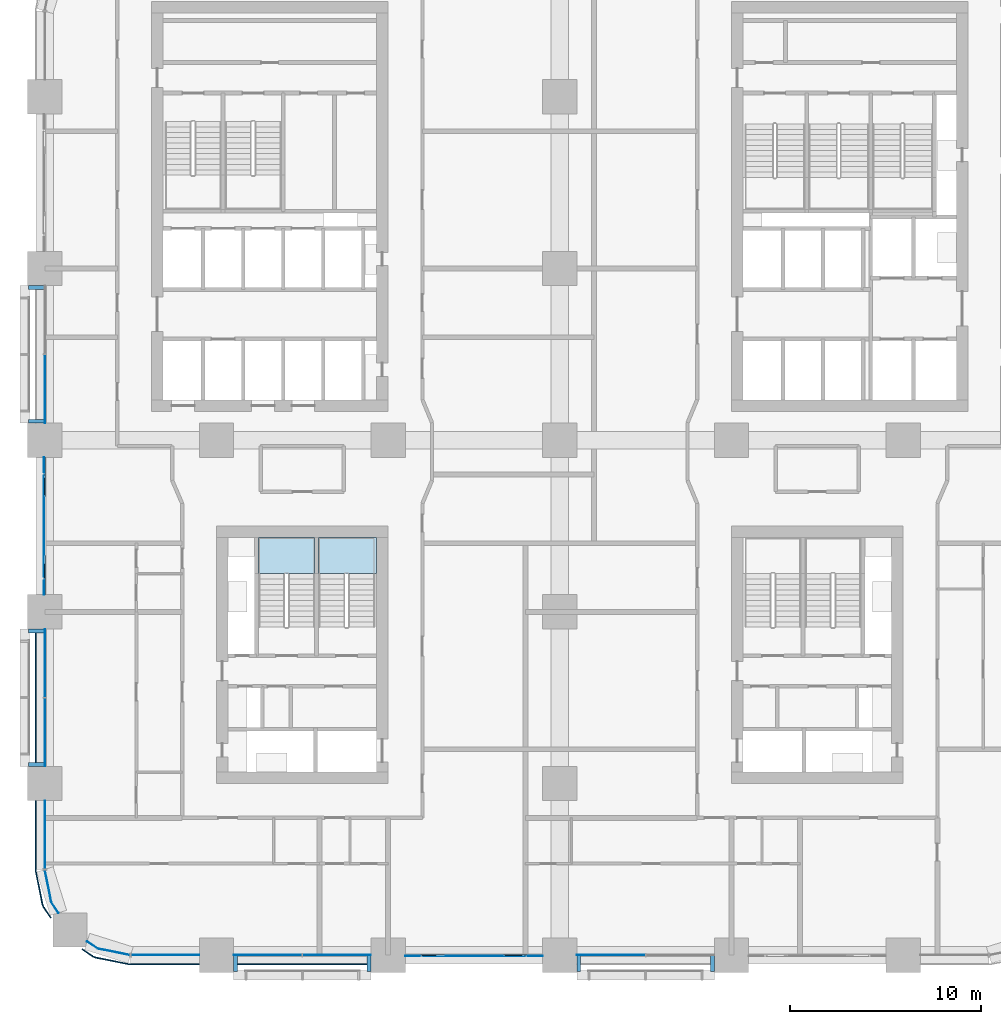
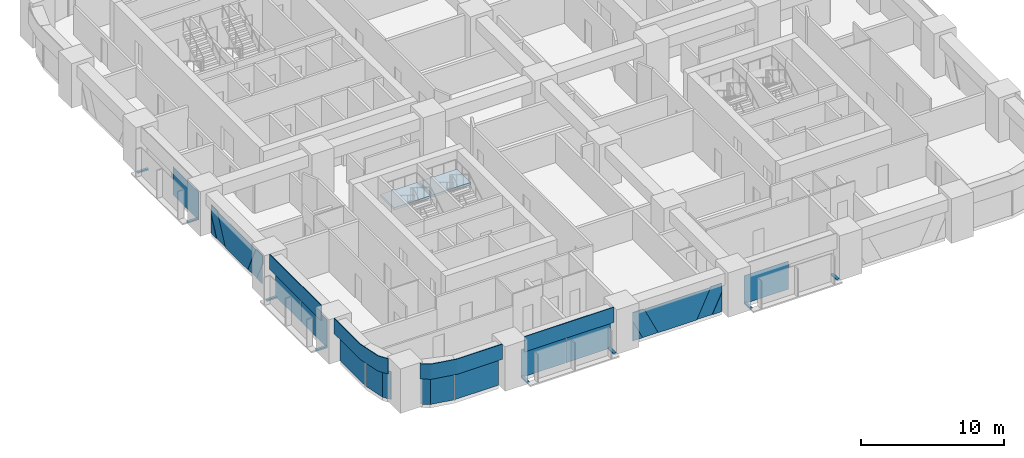
# One storey, part 10 of 23: 24 plates, 8 beams, 2 slabs, 10 elements without a shape of their own.
"""IFC4 building model written with IfcOpenShell, lengths in metres."""

from ifc_helpers import new_model, si_unit, direction, frame, origin, origin_2d, place, context, subcontext, project, spatial, polyline, rectangle, outline, extrude, material, layer, layer_set, material_profile, profile_set, type_object, element, aggregate, save


model = new_model("IFC4")

# Units and contexts
model_context = context("Model", 3, precision=1e-05, world=origin(), true_north=direction((0.0, 1.0)))
body_context = subcontext(model_context, "Body", "Model", "MODEL_VIEW")
ifc_project = project(units=[si_unit("LENGTHUNIT", "METRE"), si_unit("AREAUNIT", "SQUARE_METRE"), si_unit("VOLUMEUNIT", "CUBIC_METRE"), si_unit("PLANEANGLEUNIT", "RADIAN"), si_unit("MASSUNIT", "GRAM", prefix="KILO")], contexts=[model_context])

# Site, building, storey
site_placement = place(None, origin())
site = spatial("IfcSite", under=ifc_project, at=site_placement, CompositionType="ELEMENT")
building_placement = place(site_placement, origin())
building = spatial("IfcBuilding", under=site, at=building_placement, Name="Tessera Arch", CompositionType="ELEMENT")
storey_placement = place(building_placement, frame((0.0, 0.0, 57.60009765625)))
storey = spatial("IfcBuildingStorey", under=building, at=storey_placement, Name="L12", CompositionType="ELEMENT", Elevation=57.60009765625)

# Beams
ifc_material_1 = material(Name="Aluminium alloy 6063-T6", Category="aluminium")
ifc_material_profile = material_profile(ifc_material_1, rectangle(XDim=0.199951171875, YDim=0.1201171875, at=origin_2d()), Name="AL 200x120")
ifc_profile_set = profile_set([ifc_material_profile], Name="Aluminium alloy 6063-T6")
beam_type = type_object("IfcBeamType", Name="Screen seat beam", PredefinedType="BEAM", material=ifc_profile_set)
for number, where, z_axis, x_axis, name in (
    (1, (9.9990234375, 0.0, 0.059814453125), (0.0, -1.0, 0.0), (1.0, 0.0, 0.0), "Screen seat beam"),
    (2, (17.0009765625, 0.0, 0.059814453125), (0.0, -1.0, 0.0), (1.0, 0.0, 0.0), "Screen seat beam"),
    (3, (27.9990234375, 0.0, 0.059814453125), (0.0, -1.0, 0.0), (1.0, 0.0, 0.0), "Screen seat beam"),
    (4, (35.0009765625, 0.0, 0.059814453125), (0.0, -1.0, 0.0), (1.0, 0.0, 0.0), "Screen seat beam"),
    (5, (0.0, 35.0009765625, 0.059814453125), (-1.0, 0.0, 0.0), (0.0, -1.0, 0.0), "Screen seat beam"),
    (6, (0.0, 27.9990234375, 0.059814453125), (-1.0, 0.0, 0.0), (0.0, -1.0, 0.0), "Screen seat beam"),
    (7, (0.0, 17.0009765625, 0.059814453125), (-1.0, 0.0, 0.0), (0.0, -1.0, 0.0), "Screen seat beam"),
    (8, (0.0, 9.9990234375, 0.059814453125), (-1.0, 0.0, 0.0), (0.0, -1.0, 0.0), "Screen seat beam"),
):
    element("IfcBeam", number, at=place(storey_placement, frame(where, z_axis=z_axis, x_axis=x_axis)), inside=storey, type_object=beam_type, Name=name, PredefinedType="BEAM", context=body_context, shape_type="SweptSolid", body=[
        extrude(rectangle(XDim=0.199951171875, YDim=0.1201171875, at=origin_2d()), origin(), (0.0, 0.0, 1.0), 0.85009765625),
    ])

# Curtain wall, plates
ifc_material_2 = material(Name="CW1 curtain wall")
curtain_wall_type_1 = type_object("IfcCurtainWallType", Name="CW1 curtain wall", PredefinedType="NOTDEFINED", material=ifc_material_2)
curtain_wall_1_placement = place(storey_placement, origin())
curtain_wall_1 = element("IfcCurtainWall", 9, at=curtain_wall_1_placement, inside=storey, type_object=curtain_wall_type_1, Name="CW1 curtain wall S0.0/0 L12", PredefinedType="NOTDEFINED")
ifc_material_3 = material(Name="Clear low-e glass", Category="glass")
ifc_material_4 = material(Name="Clear low-e glass", Category="glass")
ifc_layer_1 = layer(ifc_material_4, 0.028076171875)
ifc_layer_set_1 = layer_set([ifc_layer_1], Name="CW1 glass panel")
plate_type_1 = type_object("IfcPlateType", Name="CW1 glass panel", PredefinedType="CURTAIN_PANEL", material=ifc_layer_set_1)
plate_1_placement = place(storey_placement, frame((11.68505859375, 0.0, 0.0), z_axis=(0.0, 0.0, 1.0), x_axis=(1.0, 0.0, 0.0)))
plate_1 = element("IfcPlate", 10, at=plate_1_placement, type_object=plate_type_1, material=ifc_material_3, Name="CW1 glass panel S0.0/0 1.1.1", PredefinedType="CURTAIN_PANEL", context=body_context, shape_type="SweptSolid", body=[
    extrude(rectangle(XDim=3.570068359375, YDim=0.028076171875, at=origin_2d()), origin(), (0.0, 0.0, 1.0), 2.39990234375),
])
plate_2_placement = place(storey_placement, frame((15.31494140625, 0.0, 0.0), z_axis=(0.0, 0.0, 1.0), x_axis=(1.0, 0.0, 0.0)))
plate_2 = element("IfcPlate", 11, at=plate_2_placement, type_object=plate_type_1, material=ifc_material_3, Name="CW1 glass panel S0.0/0 1.2.1", PredefinedType="CURTAIN_PANEL", context=body_context, shape_type="SweptSolid", body=[
    extrude(rectangle(XDim=3.570068359375, YDim=0.028076171875, at=origin_2d()), origin(), (0.0, 0.0, 1.0), 2.39990234375),
])

# Curtain wall, plate
curtain_wall_2_placement = place(storey_placement, origin())
curtain_wall_2 = element("IfcCurtainWall", 12, at=curtain_wall_2_placement, inside=storey, type_object=curtain_wall_type_1, Name="CW1 curtain wall S0.0/2 L12", PredefinedType="NOTDEFINED")
plate_3_placement = place(storey_placement, frame((29.68505859375, 0.0, 0.0), z_axis=(0.0, 0.0, 1.0), x_axis=(1.0, 0.0, 0.0)))
plate_3 = element("IfcPlate", 13, at=plate_3_placement, type_object=plate_type_1, material=ifc_material_3, Name="CW1 glass panel S0.0/2 1.1.1", PredefinedType="CURTAIN_PANEL", context=body_context, shape_type="SweptSolid", body=[
    extrude(rectangle(XDim=3.570068359375, YDim=0.028076171875, at=origin_2d()), origin(), (0.0, 0.0, 1.0), 2.39990234375),
])
aggregate(curtain_wall_2, [plate_3])

curtain_wall_3_placement = place(storey_placement, origin())
curtain_wall_3 = element("IfcCurtainWall", 14, at=curtain_wall_3_placement, inside=storey, type_object=curtain_wall_type_1, Name="CW1 curtain wall W0.0/2 L12", PredefinedType="NOTDEFINED")
plate_4_placement = place(storey_placement, frame((0.0, 29.68505859375, 0.0), z_axis=(0.0, 0.0, 1.0), x_axis=(0.0, -1.0, 0.0)))
plate_4 = element("IfcPlate", 15, at=plate_4_placement, type_object=plate_type_1, material=ifc_material_3, Name="CW1 glass panel W0.0/2 1.2.1", PredefinedType="CURTAIN_PANEL", context=body_context, shape_type="SweptSolid", body=[
    extrude(rectangle(XDim=3.570068359375, YDim=0.028076171875, at=origin_2d()), origin(), (0.0, 0.0, 1.0), 2.39990234375),
])
aggregate(curtain_wall_3, [plate_4])

# Curtain wall, plates
curtain_wall_4_placement = place(storey_placement, origin())
curtain_wall_4 = element("IfcCurtainWall", 16, at=curtain_wall_4_placement, inside=storey, type_object=curtain_wall_type_1, Name="CW1 curtain wall W0.0/4 L12", PredefinedType="NOTDEFINED")
plate_5_placement = place(storey_placement, frame((0.0, 15.31494140625, 0.0), z_axis=(0.0, 0.0, 1.0), x_axis=(0.0, -1.0, 0.0)))
plate_5 = element("IfcPlate", 17, at=plate_5_placement, type_object=plate_type_1, material=ifc_material_3, Name="CW1 glass panel W0.0/4 1.1.1", PredefinedType="CURTAIN_PANEL", context=body_context, shape_type="SweptSolid", body=[
    extrude(rectangle(XDim=3.570068359375, YDim=0.028076171875, at=origin_2d()), origin(), (0.0, 0.0, 1.0), 2.39990234375),
])
plate_6_placement = place(storey_placement, frame((0.0, 11.68505859375, 0.0), z_axis=(0.0, 0.0, 1.0), x_axis=(0.0, -1.0, 0.0)))
plate_6 = element("IfcPlate", 18, at=plate_6_placement, type_object=plate_type_1, material=ifc_material_3, Name="CW1 glass panel W0.0/4 1.2.1", PredefinedType="CURTAIN_PANEL", context=body_context, shape_type="SweptSolid", body=[
    extrude(rectangle(XDim=3.570068359375, YDim=0.028076171875, at=origin_2d()), origin(), (0.0, 0.0, 1.0), 2.39990234375),
])

# Plate
ifc_material_5 = material(Name="Pale anodised aluminium panel", Category="aluminium")
ifc_layer_2 = layer(ifc_material_5, 0.06005859375)
ifc_layer_set_2 = layer_set([ifc_layer_2], Name="CW1 spandrel panel")
plate_type_2 = type_object("IfcPlateType", Name="CW1 spandrel panel", PredefinedType="CURTAIN_PANEL", material=ifc_layer_set_2)
plate_7_placement = place(storey_placement, frame((13.5, -0.47998046875, 2.5), z_axis=(0.0, 0.0, 1.0), x_axis=(1.0, 0.0, 0.0)))
plate_7 = element("IfcPlate", 19, at=plate_7_placement, type_object=plate_type_2, Name="CW1 spandrel panel S0.0/0", PredefinedType="CURTAIN_PANEL", context=body_context, shape_type="SweptSolid", body=[
    extrude(rectangle(XDim=7.199951171875, YDim=0.06005859375, at=origin_2d()), origin(), (0.0, 0.0, 1.0), 1.300048828125),
])

aggregate(curtain_wall_1, [plate_1, plate_2, plate_7])

plate_8_placement = place(storey_placement, frame((-0.47998046875, 13.5, 2.5), z_axis=(0.0, 0.0, 1.0), x_axis=(0.0, -1.0, 0.0)))
plate_8 = element("IfcPlate", 20, at=plate_8_placement, type_object=plate_type_2, Name="CW1 spandrel panel W0.0/4", PredefinedType="CURTAIN_PANEL", context=body_context, shape_type="SweptSolid", body=[
    extrude(rectangle(XDim=7.199951171875, YDim=0.06005859375, at=origin_2d()), origin(), (0.0, 0.0, 1.0), 1.300048828125),
])

aggregate(curtain_wall_4, [plate_5, plate_6, plate_8])

# Curtain wall, plates
ifc_material_6 = material(Name="CW2 curtain wall")
curtain_wall_type_2 = type_object("IfcCurtainWallType", Name="CW2 curtain wall", PredefinedType="NOTDEFINED", material=ifc_material_6)
curtain_wall_5_placement = place(storey_placement, origin())
curtain_wall_5 = element("IfcCurtainWall", 21, at=curtain_wall_5_placement, inside=storey, type_object=curtain_wall_type_2, Name="CW2 curtain wall W0.0/5 L12", PredefinedType="NOTDEFINED")
ifc_material_7 = material(Name="Clear low-e glass", Category="glass")
ifc_layer_3 = layer(ifc_material_7, 0.028076171875)
ifc_layer_set_3 = layer_set([ifc_layer_3], Name="CW2 glass panel")
plate_type_3 = type_object("IfcPlateType", Name="CW2 glass panel", PredefinedType="CURTAIN_PANEL", material=ifc_layer_set_3)
plate_9_placement = place(storey_placement, frame((0.0, 6.320068359375, 0.0), z_axis=(0.0, 0.0, 1.0), x_axis=(0.0, -1.0, 0.0)))
plate_9 = element("IfcPlate", 22, at=plate_9_placement, type_object=plate_type_3, material=ifc_material_3, Name="CW2 glass panel W0.0/5 1.1", PredefinedType="CURTAIN_PANEL", context=body_context, shape_type="SweptSolid", body=[
    extrude(rectangle(XDim=3.56005859375, YDim=0.028076171875, at=origin_2d()), origin(), (0.0, 0.0, 1.0), 2.39990234375),
])
plate_10_placement = place(storey_placement, origin())
plate_10 = element("IfcPlate", 23, at=plate_10_placement, type_object=plate_type_3, material=ifc_material_3, Name="CW2 curved glass panel W0.0/5 2.1", PredefinedType="CURTAIN_PANEL", context=body_context, shape_type="SweptSolid", body=[
    extrude(outline(polyline([(0.355712890625, 2.783447265625), (0.021484375, 4.46337890625), (-0.005859375, 4.4580078125), (0.329345703125, 2.7724609375), (0.705078125, 2.210205078125), (0.728271484375, 2.225830078125), (0.355712890625, 2.783447265625)])), origin(), (0.0, 0.0, 1.0), 2.39990234375),
])

curtain_wall_6_placement = place(storey_placement, origin())
curtain_wall_6 = element("IfcCurtainWall", 24, at=curtain_wall_6_placement, inside=storey, type_object=curtain_wall_type_2, Name="CW2 curtain wall S0.0/5 L12", PredefinedType="NOTDEFINED")
plate_11_placement = place(storey_placement, frame((6.320068359375, 0.0, 0.0), z_axis=(0.0, 0.0, 1.0), x_axis=(1.0, 0.0, 0.0)))
plate_11 = element("IfcPlate", 25, at=plate_11_placement, type_object=plate_type_3, material=ifc_material_3, Name="CW2 glass panel S0.0/5 1.1", PredefinedType="CURTAIN_PANEL", context=body_context, shape_type="SweptSolid", body=[
    extrude(rectangle(XDim=3.56005859375, YDim=0.028076171875, at=origin_2d()), origin(), (0.0, 0.0, 1.0), 2.39990234375),
])
plate_12_placement = place(storey_placement, origin())
plate_12 = element("IfcPlate", 26, at=plate_12_placement, type_object=plate_type_3, material=ifc_material_3, Name="CW2 curved glass panel S0.0/5 2.1", PredefinedType="CURTAIN_PANEL", context=body_context, shape_type="SweptSolid", body=[
    extrude(outline(polyline([(2.783447265625, 0.355712890625), (2.225830078125, 0.728271484375), (2.210205078125, 0.705078125), (2.7724609375, 0.329345703125), (4.4580078125, -0.005859375), (4.46337890625, 0.021484375), (2.783447265625, 0.355712890625)])), origin(), (0.0, 0.0, 1.0), 2.39990234375),
])

# Plate
ifc_material_8 = material(Name="Pale anodised aluminium panel", Category="aluminium")
ifc_layer_4 = layer(ifc_material_8, 0.06005859375)
ifc_layer_set_4 = layer_set([ifc_layer_4], Name="CW2 spandrel panel")
plate_type_4 = type_object("IfcPlateType", Name="CW2 spandrel panel", PredefinedType="CURTAIN_PANEL", material=ifc_layer_set_4)
plate_13_placement = place(storey_placement, frame((0.0, 0.0, 2.5)))
plate_13 = element("IfcPlate", 27, at=plate_13_placement, type_object=plate_type_4, Name="CW2 spandrel panel W0.0/5", PredefinedType="CURTAIN_PANEL", context=body_context, shape_type="SweptSolid", body=[
    extrude(outline(polyline([(-0.449951171875, 4.500732421875), (-0.449951171875, 8.10009765625), (-0.510009765625, 8.10009765625), (-0.510009765625, 4.499267578125), (-0.507568359375, 4.449951171875), (-0.500244140625, 4.401123046875), (-0.157470703125, 2.677734375), (-0.1455078125, 2.6298828125), (-0.128662109375, 2.582763671875), (-0.107177734375, 2.537353515625), (-0.08203125, 2.4951171875), (0.292724609375, 1.9345703125), (0.342529296875, 1.968017578125), (-0.03125, 2.52734375), (-0.05419921875, 2.565673828125), (-0.0732421875, 2.605712890625), (-0.088134765625, 2.647216796875), (-0.09912109375, 2.69091796875), (-0.441162109375, 4.411376953125), (-0.44775390625, 4.455810546875), (-0.449951171875, 4.500732421875)])), origin(), (0.0, 0.0, 1.0), 1.2998046875),
])

aggregate(curtain_wall_5, [plate_9, plate_10, plate_13])

plate_14_placement = place(storey_placement, frame((0.0, 0.0, 2.5)))
plate_14 = element("IfcPlate", 28, at=plate_14_placement, type_object=plate_type_4, Name="CW2 spandrel panel S0.0/5", PredefinedType="CURTAIN_PANEL", context=body_context, shape_type="SweptSolid", body=[
    extrude(outline(polyline([(2.52734375, -0.03125), (1.968017578125, 0.342529296875), (1.9345703125, 0.292724609375), (2.4951171875, -0.08203125), (2.537353515625, -0.107177734375), (2.582763671875, -0.128662109375), (2.6298828125, -0.1455078125), (2.677734375, -0.157470703125), (4.401123046875, -0.500244140625), (4.449951171875, -0.507568359375), (4.499267578125, -0.510009765625), (8.10009765625, -0.510009765625), (8.10009765625, -0.449951171875), (4.500732421875, -0.449951171875), (4.455810546875, -0.44775390625), (4.411376953125, -0.441162109375), (2.69091796875, -0.09912109375), (2.647216796875, -0.088134765625), (2.605712890625, -0.0732421875), (2.565673828125, -0.05419921875), (2.52734375, -0.03125)])), origin(), (0.0, 0.0, 1.0), 1.2998046875),
])

aggregate(curtain_wall_6, [plate_11, plate_12, plate_14])

# Curtain wall, plates
ifc_material_9 = material(Name="CW3 curtain wall")
curtain_wall_type_3 = type_object("IfcCurtainWallType", Name="CW3 curtain wall", PredefinedType="NOTDEFINED", material=ifc_material_9)
curtain_wall_7_placement = place(storey_placement, origin())
curtain_wall_7 = element("IfcCurtainWall", 29, at=curtain_wall_7_placement, inside=storey, type_object=curtain_wall_type_3, Name="CW3 curtain wall S0.0/1 L12", PredefinedType="NOTDEFINED")
ifc_material_10 = material(Name="Pale anodised aluminium panel", Category="aluminium")
ifc_layer_5 = layer(ifc_material_10, 0.06005859375)
ifc_layer_set_5 = layer_set([ifc_layer_5], Name="CW3 diagonal panel")
plate_type_5 = type_object("IfcPlateType", Name="CW3 diagonal panel", PredefinedType="CURTAIN_PANEL", material=ifc_layer_set_5)
plate_15_placement = place(storey_placement, frame((26.10009765625, -0.030029296875, 2.39990234375), z_axis=(0.0, -1.0, 0.0), x_axis=(-1.0, 0.0, 0.0)))
plate_15 = element("IfcPlate", 30, at=plate_15_placement, type_object=plate_type_5, Name="CW3 diagonal panel S0.0/1 1", PredefinedType="CURTAIN_PANEL", context=body_context, shape_type="SweptSolid", body=[
    extrude(outline(polyline([(0.0, 0.0), (0.912841796875, 0.0), (2.049560546875, 2.39990234375), (0.792724609375, 2.39990234375), (0.0, 0.726806640625), (0.0, 0.0)])), origin(), (0.0, 0.0, -1.0), 0.06005859375),
])
plate_16_placement = place(storey_placement, frame((18.89990234375, -0.030029296875, 2.39990234375), z_axis=(0.0, -1.0, 0.0), x_axis=(0.0, 0.0, -1.0)))
plate_16 = element("IfcPlate", 31, at=plate_16_placement, type_object=plate_type_5, Name="CW3 diagonal panel S0.0/1 2", PredefinedType="CURTAIN_PANEL", context=body_context, shape_type="SweptSolid", body=[
    extrude(outline(polyline([(0.0, 0.0), (0.726806640625, 0.0), (2.39990234375, 0.792724609375), (2.39990234375, 2.049560546875), (0.0, 0.912841796875), (0.0, 0.0)])), origin(), (0.0, 0.0, -1.0), 0.06005859375),
])

curtain_wall_8_placement = place(storey_placement, origin())
curtain_wall_8 = element("IfcCurtainWall", 32, at=curtain_wall_8_placement, inside=storey, type_object=curtain_wall_type_3, Name="CW3 curtain wall W0.0/3 L12", PredefinedType="NOTDEFINED")
plate_17_placement = place(storey_placement, frame((-0.030029296875, 18.89990234375, 2.39990234375), z_axis=(-1.0, 0.0, 0.0), x_axis=(0.0, 1.0, 0.0)))
plate_17 = element("IfcPlate", 33, at=plate_17_placement, type_object=plate_type_5, Name="CW3 diagonal panel W0.0/3 1", PredefinedType="CURTAIN_PANEL", context=body_context, shape_type="SweptSolid", body=[
    extrude(outline(polyline([(0.0, 0.0), (0.912841796875, 0.0), (2.049560546875, 2.39990234375), (0.792724609375, 2.39990234375), (0.0, 0.726806640625), (0.0, 0.0)])), origin(), (0.0, 0.0, -1.0), 0.06005859375),
])
plate_18_placement = place(storey_placement, frame((-0.030029296875, 26.10009765625, 2.39990234375), z_axis=(-1.0, 0.0, 0.0), x_axis=(0.0, 0.0, -1.0)))
plate_18 = element("IfcPlate", 34, at=plate_18_placement, type_object=plate_type_5, Name="CW3 diagonal panel W0.0/3 2", PredefinedType="CURTAIN_PANEL", context=body_context, shape_type="SweptSolid", body=[
    extrude(outline(polyline([(0.0, 0.0), (0.726806640625, 0.0), (2.39990234375, 0.792724609375), (2.39990234375, 2.049560546875), (0.0, 0.912841796875), (0.0, 0.0)])), origin(), (0.0, 0.0, -1.0), 0.06005859375),
])

# Plate
ifc_material_11 = material(Name="Clear low-e glass", Category="glass")
ifc_layer_6 = layer(ifc_material_11, 0.028076171875)
ifc_layer_set_6 = layer_set([ifc_layer_6], Name="CW3 glass panel")
plate_type_6 = type_object("IfcPlateType", Name="CW3 glass panel", PredefinedType="CURTAIN_PANEL", material=ifc_layer_set_6)
plate_19_placement = place(storey_placement, frame((18.89990234375, -0.05810546875, 0.0), z_axis=(0.0, -1.0, 0.0), x_axis=(1.0, 0.0, 0.0)))
plate_19 = element("IfcPlate", 35, at=plate_19_placement, type_object=plate_type_6, material=ifc_material_3, Name="CW3 triangulated glass panel S0.0/1 1", PredefinedType="CURTAIN_PANEL", context=body_context, shape_type="SweptSolid", body=[
    extrude(outline(polyline([(0.0, 0.0), (0.792724609375, 0.0), (0.0, 1.673095703125), (0.0, 0.0)])), origin(), (0.0, 0.0, -1.0), 0.028076171875),
])

plate_20_placement = place(storey_placement, frame((25.187255859375, -0.05810546875, 2.39990234375), z_axis=(0.0, -1.0, 0.0), x_axis=(-1.0, 0.0, 0.0)))
plate_20 = element("IfcPlate", 36, at=plate_20_placement, type_object=plate_type_6, material=ifc_material_3, Name="CW3 triangulated glass panel S0.0/1 2", PredefinedType="CURTAIN_PANEL", context=body_context, shape_type="SweptSolid", body=[
    extrude(outline(polyline([(0.0, 0.0), (5.37451171875, 0.0), (4.23779296875, 2.39990234375), (1.13671875, 2.39990234375), (0.0, 0.0)])), origin(), (0.0, 0.0, -1.0), 0.028076171875),
])

plate_21_placement = place(storey_placement, frame((26.10009765625, -0.05810546875, 0.0), z_axis=(0.0, -1.0, 0.0), x_axis=(0.0, 0.0, 1.0)))
plate_21 = element("IfcPlate", 37, at=plate_21_placement, type_object=plate_type_6, material=ifc_material_3, Name="CW3 triangulated glass panel S0.0/1 3", PredefinedType="CURTAIN_PANEL", context=body_context, shape_type="SweptSolid", body=[
    extrude(outline(polyline([(0.0, 0.0), (1.673095703125, 0.0), (0.0, 0.792724609375), (0.0, 0.0)])), origin(), (0.0, 0.0, -1.0), 0.028076171875),
])

aggregate(curtain_wall_7, [plate_19, plate_20, plate_21, plate_15, plate_16])

plate_22_placement = place(storey_placement, frame((-0.05810546875, 26.10009765625, 0.0), z_axis=(-1.0, 0.0, 0.0), x_axis=(0.0, -1.0, 0.0)))
plate_22 = element("IfcPlate", 38, at=plate_22_placement, type_object=plate_type_6, material=ifc_material_3, Name="CW3 triangulated glass panel W0.0/3 1", PredefinedType="CURTAIN_PANEL", context=body_context, shape_type="SweptSolid", body=[
    extrude(outline(polyline([(0.0, 0.0), (0.792724609375, 0.0), (0.0, 1.673095703125), (0.0, 0.0)])), origin(), (0.0, 0.0, -1.0), 0.028076171875),
])

plate_23_placement = place(storey_placement, frame((-0.05810546875, 19.812744140625, 2.39990234375), z_axis=(-1.0, 0.0, 0.0), x_axis=(0.0, 1.0, 0.0)))
plate_23 = element("IfcPlate", 39, at=plate_23_placement, type_object=plate_type_6, material=ifc_material_3, Name="CW3 triangulated glass panel W0.0/3 2", PredefinedType="CURTAIN_PANEL", context=body_context, shape_type="SweptSolid", body=[
    extrude(outline(polyline([(0.0, 0.0), (5.37451171875, 0.0), (4.23779296875, 2.39990234375), (1.13671875, 2.39990234375), (0.0, 0.0)])), origin(), (0.0, 0.0, -1.0), 0.028076171875),
])

plate_24_placement = place(storey_placement, frame((-0.05810546875, 18.89990234375, 0.0), z_axis=(-1.0, 0.0, 0.0), x_axis=(0.0, 0.0, 1.0)))
plate_24 = element("IfcPlate", 40, at=plate_24_placement, type_object=plate_type_6, material=ifc_material_3, Name="CW3 triangulated glass panel W0.0/3 3", PredefinedType="CURTAIN_PANEL", context=body_context, shape_type="SweptSolid", body=[
    extrude(outline(polyline([(0.0, 0.0), (1.673095703125, 0.0), (0.0, 0.792724609375), (0.0, 0.0)])), origin(), (0.0, 0.0, -1.0), 0.028076171875),
])

aggregate(curtain_wall_8, [plate_22, plate_23, plate_24, plate_17, plate_18])

# Stair, slab
ifc_material_12 = material(Name="Concrete C40/50", Category="concrete")
stair_type = type_object("IfcStairType", Name="Dogleg stair 1400", PredefinedType="HALF_TURN_STAIR", material=ifc_material_12)
stair_1_placement = place(storey_placement, origin())
stair_1 = element("IfcStair", 41, at=stair_1_placement, inside=storey, type_object=stair_type, Name="L12 S4a", PredefinedType="HALF_TURN_STAIR")
ifc_material_13 = material(Name="Concrete C40/50", Category="concrete")
ifc_layer_7 = layer(ifc_material_13, 0.300048828125)
ifc_layer_set_7 = layer_set([ifc_layer_7], Name="Stair landing 300")
slab_type = type_object("IfcSlabType", Name="Stair landing 300", PredefinedType="LANDING", material=ifc_layer_set_7)
slab_1_placement = place(storey_placement, frame((0.0, 0.0, 1.699951171875)))
slab_1 = element("IfcSlab", 42, at=slab_1_placement, type_object=slab_type, Name="S4a landing 1", PredefinedType="LANDING", context=body_context, shape_type="SweptSolid", body=[
    extrude(outline(polyline([(17.39990234375, 20.0), (17.39990234375, 21.89990234375), (14.35009765625, 21.89990234375), (14.35009765625, 20.0), (17.39990234375, 20.0)])), origin(), (0.0, 0.0, 1.0), 0.199951171875),
])
aggregate(stair_1, [slab_1])

stair_2_placement = place(storey_placement, origin())
stair_2 = element("IfcStair", 43, at=stair_2_placement, inside=storey, type_object=stair_type, Name="L12 S4b", PredefinedType="HALF_TURN_STAIR")
slab_2_placement = place(storey_placement, frame((0.0, 0.0, 1.699951171875)))
slab_2 = element("IfcSlab", 44, at=slab_2_placement, type_object=slab_type, Name="S4b landing 1", PredefinedType="LANDING", context=body_context, shape_type="SweptSolid", body=[
    extrude(outline(polyline([(14.14990234375, 20.0), (14.14990234375, 21.89990234375), (11.199951171875, 21.89990234375), (11.199951171875, 20.0), (14.14990234375, 20.0)])), origin(), (0.0, 0.0, 1.0), 0.199951171875),
])
aggregate(stair_2, [slab_2])

save(model, "model.ifc")
